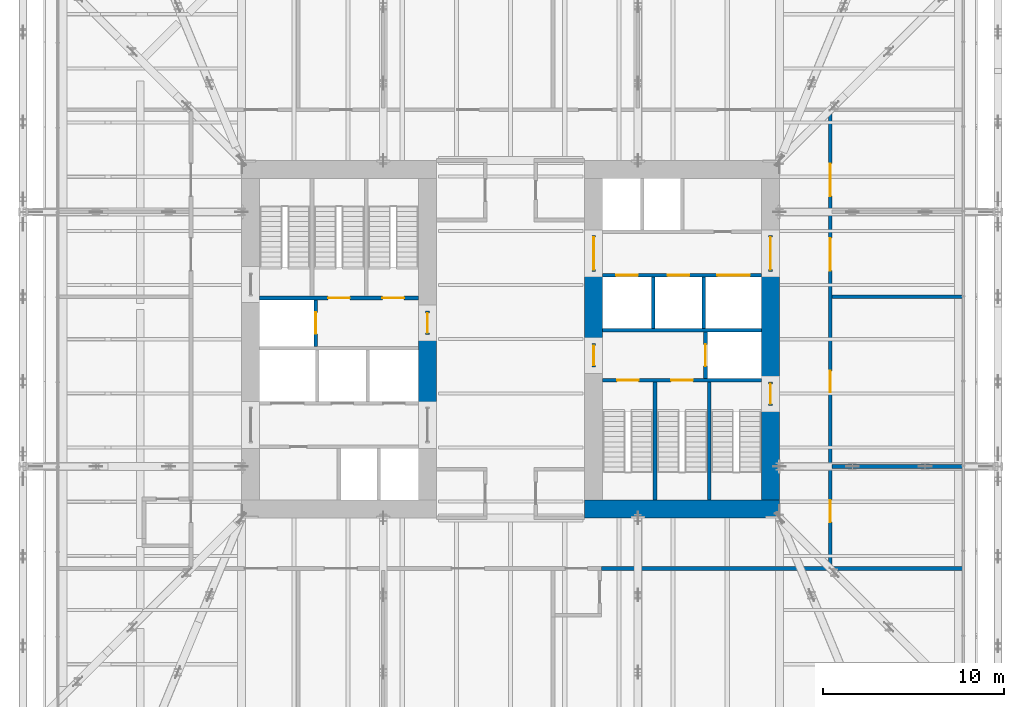
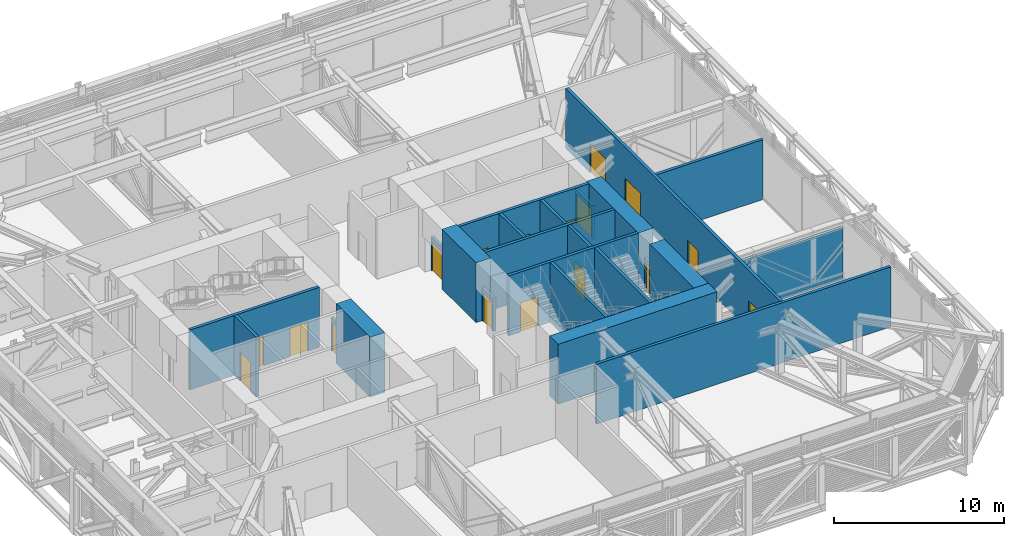
# One storey, part 23 of 33: 24 walls, 18 doors, 18 openings.
"""IFC4 building model written with IfcOpenShell, lengths in metres."""

from ifc_helpers import new_model, si_unit, direction, frame, frame_2d, origin, place, context, subcontext, project, spatial, rectangle, extrude, material, layer, layer_set, type_object, element, fill, save


model = new_model("IFC4")

# Units and contexts
model_context = context("Model", 3, precision=1e-05, world=origin(), true_north=direction((0.0, 1.0)))
body_context = subcontext(model_context, "Body", "Model", "MODEL_VIEW")
ifc_project = project(units=[si_unit("LENGTHUNIT", "METRE"), si_unit("AREAUNIT", "SQUARE_METRE"), si_unit("VOLUMEUNIT", "CUBIC_METRE"), si_unit("PLANEANGLEUNIT", "RADIAN"), si_unit("MASSUNIT", "GRAM", prefix="KILO")], contexts=[model_context])

# Site, building, storey
site_placement = place(None, origin())
site = spatial("IfcSite", under=ifc_project, at=site_placement, CompositionType="ELEMENT")
building_placement = place(site_placement, origin())
building = spatial("IfcBuilding", under=site, at=building_placement, Name="Millrace Tower", CompositionType="ELEMENT")
storey_placement = place(building_placement, frame((0.0, 0.0, 64.10009765625)))
storey = spatial("IfcBuildingStorey", under=building, at=storey_placement, Name="L14", CompositionType="ELEMENT", Elevation=64.10009765625)

# Walls
ifc_material_1 = material(Name="Concrete C80", Category="concrete")
ifc_layer_1 = layer(ifc_material_1, 1.0)
ifc_layer_set_1 = layer_set([ifc_layer_1], Name="Concrete C80")
wall_type_1 = type_object("IfcWallType", Name="Core wall 1000 Concrete C80", PredefinedType="SHEAR", material=ifc_layer_set_1)
wall_1_placement = place(storey_placement, frame((-4.60009765625, -3.75, 0.0), z_axis=(0.0, 0.0, 1.0), x_axis=(0.0, 1.0, 0.0)))
element("IfcWall", 1, at=wall_1_placement, inside=storey, type_object=wall_type_1, Name="Core wall W L14", PredefinedType="SHEAR", context=body_context, shape_type="SweptSolid", body=[
    extrude(rectangle(XDim=4.0, YDim=1.0, at=frame_2d((2.0, 0.0))), origin(), (0.0, 0.0, 1.0), 4.2998046875),
])
wall_2_placement = place(storey_placement, frame((14.89990234375, -9.39990234375, 0.0), z_axis=(0.0, 0.0, 1.0), x_axis=(-1.0, 0.0, 0.0)))
element("IfcWall", 2, at=wall_2_placement, inside=storey, type_object=wall_type_1, Name="Core wall E L14", PredefinedType="SHEAR", context=body_context, shape_type="SweptSolid", body=[
    extrude(rectangle(XDim=10.7998046875, YDim=1.0, at=frame_2d((5.39990234375, 0.0))), origin(), (0.0, 0.0, 1.0), 4.2998046875),
])
wall_3_placement = place(storey_placement, frame((14.39990234375, 3.75, 0.0), z_axis=(0.0, 0.0, 1.0), x_axis=(0.0, -1.0, 0.0)))
element("IfcWall", 3, at=wall_3_placement, inside=storey, type_object=wall_type_1, Name="Core wall E L14", PredefinedType="SHEAR", context=body_context, shape_type="SweptSolid", body=[
    extrude(rectangle(XDim=6.1298828125, YDim=1.0, at=frame_2d((3.06494140625, 0.0))), origin(), (0.0, 0.0, 1.0), 4.2998046875),
])
wall_4_placement = place(storey_placement, frame((14.39990234375, -3.679931640625, 0.0), z_axis=(0.0, 0.0, 1.0), x_axis=(0.0, -1.0, 0.0)))
element("IfcWall", 4, at=wall_4_placement, inside=storey, type_object=wall_type_1, Name="Core wall E L14", PredefinedType="SHEAR", context=body_context, shape_type="SweptSolid", body=[
    extrude(rectangle(XDim=5.219970703125, YDim=1.0, at=frame_2d((2.60986328125, 0.0))), origin(), (0.0, 0.0, 1.0), 4.2998046875),
])
wall_5_placement = place(storey_placement, frame((4.60009765625, 3.75, 0.0), z_axis=(0.0, 0.0, 1.0), x_axis=(0.0, -1.0, 0.0)))
element("IfcWall", 5, at=wall_5_placement, inside=storey, type_object=wall_type_1, Name="Core wall E L14", PredefinedType="SHEAR", context=body_context, shape_type="SweptSolid", body=[
    extrude(rectangle(XDim=4.0, YDim=1.0, at=frame_2d((2.0, 0.0))), origin(), (0.0, 0.0, 1.0), 4.2998046875),
])
ifc_material_2 = material(Name="Masonry partition, fire-rated", Category="masonry")
ifc_layer_2 = layer(ifc_material_2, 0.199951171875)
ifc_layer_set_2 = layer_set([ifc_layer_2], Name="Masonry partition, fire-rated")
wall_type_2 = type_object("IfcWallType", Name="Corridor wall 200", PredefinedType="PARTITIONING", material=ifc_layer_set_2)
wall_6_placement = place(storey_placement, frame((17.800048828125, -7.050048828125, 0.0), z_axis=(0.0, 0.0, 1.0), x_axis=(1.0, 0.0, 0.0)))
element("IfcWall", 6, at=wall_6_placement, inside=storey, type_object=wall_type_2, Name="Corridor wall L14", PredefinedType="PARTITIONING", context=body_context, shape_type="SweptSolid", body=[
    extrude(rectangle(XDim=7.22998046875, YDim=0.199951171875, at=frame_2d((3.614990234375, 0.0))), origin(), (0.0, 0.0, 1.0), 3.686767578125),
])
wall_7_placement = place(storey_placement, frame((17.800048828125, 2.35009765625, 0.0), z_axis=(0.0, 0.0, 1.0), x_axis=(1.0, 0.0, 0.0)))
element("IfcWall", 7, at=wall_7_placement, inside=storey, type_object=wall_type_2, Name="Corridor wall L14", PredefinedType="PARTITIONING", context=body_context, shape_type="SweptSolid", body=[
    extrude(rectangle(XDim=7.22998046875, YDim=0.199951171875, at=frame_2d((3.614990234375, 0.0))), origin(), (0.0, 0.0, 1.0), 4.2998046875),
])

# Wall, openings, doors
wall_8_placement = place(storey_placement, frame((17.699951171875, -12.60009765625, 0.0), z_axis=(0.0, 0.0, 1.0), x_axis=(0.0, 1.0, 0.0)))
wall_8 = element("IfcWall", 8, at=wall_8_placement, inside=storey, type_object=wall_type_2, Name="Corridor wall L14", PredefinedType="PARTITIONING", context=body_context, shape_type="SweptSolid", body=[
    extrude(rectangle(XDim=25.2001953125, YDim=0.199951171875, at=frame_2d((12.60009765625, 0.0))), origin(), (0.0, 0.0, 1.0), 4.2998046875),
])
opening_1_placement = place(wall_8_placement, frame((2.47509765625, 0.0, 0.0)))
opening_1 = element("IfcOpeningElement", 9, at=opening_1_placement, cuts=wall_8, Name="Opening 14-P015", PredefinedType="OPENING", context=body_context, shape_type="SweptSolid", body=[
    extrude(rectangle(XDim=1.199951171875, YDim=2.10009765625, at=frame_2d((0.60009765625, 1.050048828125))), frame((0.0, 0.10986328125, 0.0), z_axis=(0.0, -1.0, 0.0), x_axis=(1.0, 0.0, 0.0)), (0.0, 0.0, 1.0), 0.219970703125),
])
opening_2_placement = place(wall_8_placement, frame((9.64990234375, 0.0, 0.0)))
opening_2 = element("IfcOpeningElement", 10, at=opening_2_placement, cuts=wall_8, Name="Opening 14-P016", PredefinedType="OPENING", context=body_context, shape_type="SweptSolid", body=[
    extrude(rectangle(XDim=1.199951171875, YDim=2.10009765625, at=frame_2d((0.60009765625, 1.050048828125))), frame((0.0, 0.10986328125, 0.0), z_axis=(0.0, -1.0, 0.0), x_axis=(1.0, 0.0, 0.0)), (0.0, 0.0, 1.0), 0.219970703125),
])
opening_3_placement = place(wall_8_placement, frame((16.39990234375, 0.0, 0.0)))
opening_3 = element("IfcOpeningElement", 11, at=opening_3_placement, cuts=wall_8, Name="Opening 14-P017", PredefinedType="OPENING", context=body_context, shape_type="SweptSolid", body=[
    extrude(rectangle(XDim=1.800048828125, YDim=2.10009765625, at=frame_2d((0.89990234375, 1.050048828125))), frame((0.0, 0.10986328125, 0.0), z_axis=(0.0, -1.0, 0.0), x_axis=(1.0, 0.0, 0.0)), (0.0, 0.0, 1.0), 0.219970703125),
])
opening_4_placement = place(wall_8_placement, frame((20.52490234375, 0.0, 0.0)))
opening_4 = element("IfcOpeningElement", 12, at=opening_4_placement, cuts=wall_8, Name="Opening 14-P018", PredefinedType="OPENING", context=body_context, shape_type="SweptSolid", body=[
    extrude(rectangle(XDim=1.800048828125, YDim=2.10009765625, at=frame_2d((0.89990234375, 1.050048828125))), frame((0.0, 0.10986328125, 0.0), z_axis=(0.0, -1.0, 0.0), x_axis=(1.0, 0.0, 0.0)), (0.0, 0.0, 1.0), 0.219970703125),
])
ifc_material_3 = material(Name="Steel door set, fire-rated", Category="steel")
door_type_1 = type_object("IfcDoorType", Name="Plant room door 1200 x 2100", OperationType="SINGLE_SWING_LEFT", PredefinedType="DOOR", material=ifc_material_3)
door_1_placement = place(opening_1_placement, frame((1.199951171875, 0.0, 0.0), z_axis=(0.0, 0.0, 1.0), x_axis=(-1.0, 0.0, 0.0)))
door_1 = element("IfcDoor", 13, at=door_1_placement, inside=storey, type_object=door_type_1, Name="Door 14-P015", OperationType="SINGLE_SWING_RIGHT", OverallHeight=2.10009765625, OverallWidth=1.199951171875, PredefinedType="DOOR", context=body_context, shape_type="SweptSolid", body=[
    extrude(rectangle(XDim=1.199951171875, YDim=2.10009765625, at=frame_2d((0.60009765625, 1.050048828125))), frame((0.0, 0.02490234375, 0.0), z_axis=(0.0, -1.0, 0.0), x_axis=(1.0, 0.0, 0.0)), (0.0, 0.0, 1.0), 0.050048828125),
])
fill(opening_1, door_1)
door_2_placement = place(opening_2_placement, frame((1.199951171875, 0.0, 0.0), z_axis=(0.0, 0.0, 1.0), x_axis=(-1.0, 0.0, 0.0)))
door_2 = element("IfcDoor", 14, at=door_2_placement, inside=storey, type_object=door_type_1, Name="Door 14-P016", OperationType="SINGLE_SWING_RIGHT", OverallHeight=2.10009765625, OverallWidth=1.199951171875, PredefinedType="DOOR", context=body_context, shape_type="SweptSolid", body=[
    extrude(rectangle(XDim=1.199951171875, YDim=2.10009765625, at=frame_2d((0.60009765625, 1.050048828125))), frame((0.0, 0.02490234375, 0.0), z_axis=(0.0, -1.0, 0.0), x_axis=(1.0, 0.0, 0.0)), (0.0, 0.0, 1.0), 0.050048828125),
])
fill(opening_2, door_2)
ifc_material_4 = material(Name="Steel door set, fire-rated", Category="steel")
door_type_2 = type_object("IfcDoorType", Name="Plant room door 1800 x 2100", OperationType="DOUBLE_DOOR_SINGLE_SWING", PredefinedType="DOOR", material=ifc_material_4)
door_3_placement = place(opening_3_placement, frame((1.800048828125, 0.0, 0.0), z_axis=(0.0, 0.0, 1.0), x_axis=(-1.0, 0.0, 0.0)))
door_3 = element("IfcDoor", 15, at=door_3_placement, inside=storey, type_object=door_type_2, Name="Door 14-P017", OperationType="DOUBLE_DOOR_SINGLE_SWING", OverallHeight=2.10009765625, OverallWidth=1.800048828125, PredefinedType="DOOR", context=body_context, shape_type="SweptSolid", body=[
    extrude(rectangle(XDim=1.800048828125, YDim=2.10009765625, at=frame_2d((0.89990234375, 1.050048828125))), frame((0.0, 0.02490234375, 0.0), z_axis=(0.0, -1.0, 0.0), x_axis=(1.0, 0.0, 0.0)), (0.0, 0.0, 1.0), 0.050048828125),
])
fill(opening_3, door_3)
door_4_placement = place(opening_4_placement, frame((1.800048828125, 0.0, 0.0), z_axis=(0.0, 0.0, 1.0), x_axis=(-1.0, 0.0, 0.0)))
door_4 = element("IfcDoor", 16, at=door_4_placement, inside=storey, type_object=door_type_2, Name="Door 14-P018", OperationType="DOUBLE_DOOR_SINGLE_SWING", OverallHeight=2.10009765625, OverallWidth=1.800048828125, PredefinedType="DOOR", context=body_context, shape_type="SweptSolid", body=[
    extrude(rectangle(XDim=1.800048828125, YDim=2.10009765625, at=frame_2d((0.89990234375, 1.050048828125))), frame((0.0, 0.02490234375, 0.0), z_axis=(0.0, -1.0, 0.0), x_axis=(1.0, 0.0, 0.0)), (0.0, 0.0, 1.0), 0.050048828125),
])
fill(opening_4, door_4)

# Wall, opening, door
ifc_material_5 = material(Name="Masonry partition, fire-rated", Category="masonry")
ifc_layer_3 = layer(ifc_material_5, 0.199951171875)
ifc_layer_set_3 = layer_set([ifc_layer_3], Name="Masonry partition, fire-rated")
wall_type_3 = type_object("IfcWallType", Name="Lift shaft wall 200", PredefinedType="PARTITIONING", material=ifc_layer_set_3)
wall_9_placement = place(storey_placement, frame((-10.800048828125, -0.39990234375, 0.0), z_axis=(0.0, 0.0, 1.0), x_axis=(0.0, 1.0, 0.0)))
wall_9 = element("IfcWall", 17, at=wall_9_placement, inside=storey, type_object=wall_type_3, Name="Lift shaft wall W L14", PredefinedType="PARTITIONING", context=body_context, shape_type="SweptSolid", body=[
    extrude(rectangle(XDim=2.579833984375, YDim=0.199951171875, at=frame_2d((1.2900390625, 0.0))), origin(), (0.0, 0.0, 1.0), 4.2998046875),
])
opening_5_placement = place(wall_9_placement, frame((0.68994140625, 0.0, 0.0)))
opening_5 = element("IfcOpeningElement", 18, at=opening_5_placement, cuts=wall_9, Name="Opening 14-LD08", PredefinedType="OPENING", context=body_context, shape_type="SweptSolid", body=[
    extrude(rectangle(XDim=1.199951171875, YDim=2.10009765625, at=frame_2d((0.60009765625, 1.050048828125))), frame((0.0, 0.10986328125, 0.0), z_axis=(0.0, -1.0, 0.0), x_axis=(1.0, 0.0, 0.0)), (0.0, 0.0, 1.0), 0.219970703125),
])
ifc_material_6 = material(Name="Stainless steel, fire-rated", Category="steel")
door_type_3 = type_object("IfcDoorType", Name="Lift landing door 1200 x 2100", OperationType="DOUBLE_DOOR_SLIDING", PredefinedType="DOOR", material=ifc_material_6)
door_5_placement = place(opening_5_placement, origin())
door_5 = element("IfcDoor", 19, at=door_5_placement, inside=storey, type_object=door_type_3, Name="Lift landing door LF8 L14", OperationType="DOUBLE_DOOR_SLIDING", OverallHeight=2.10009765625, OverallWidth=1.199951171875, PredefinedType="DOOR", context=body_context, shape_type="SweptSolid", body=[
    extrude(rectangle(XDim=1.199951171875, YDim=2.10009765625, at=frame_2d((0.60009765625, 1.050048828125))), frame((0.0, 0.02490234375, 0.0), z_axis=(0.0, -1.0, 0.0), x_axis=(1.0, 0.0, 0.0)), (0.0, 0.0, 1.0), 0.050048828125),
])
fill(opening_5, door_5)

# Wall, openings, doors
wall_10_placement = place(storey_placement, frame((13.89990234375, 3.550048828125, 0.0), z_axis=(0.0, 0.0, 1.0), x_axis=(-1.0, 0.0, 0.0)))
wall_10 = element("IfcWall", 20, at=wall_10_placement, inside=storey, type_object=wall_type_3, Name="Lift shaft wall E L14", PredefinedType="PARTITIONING", context=body_context, shape_type="SweptSolid", body=[
    extrude(rectangle(XDim=8.7998046875, YDim=0.199951171875, at=frame_2d((4.39990234375, 0.0))), origin(), (0.0, 0.0, 1.0), 4.2998046875),
])
opening_6_placement = place(wall_10_placement, frame((0.64990234375, 0.0, 0.0)))
opening_6 = element("IfcOpeningElement", 21, at=opening_6_placement, cuts=wall_10, Name="Opening 14-LD13", PredefinedType="OPENING", context=body_context, shape_type="SweptSolid", body=[
    extrude(rectangle(XDim=1.800048828125, YDim=2.10009765625, at=frame_2d((0.89990234375, 1.050048828125))), frame((0.0, 0.10986328125, 0.0), z_axis=(0.0, -1.0, 0.0), x_axis=(1.0, 0.0, 0.0)), (0.0, 0.0, 1.0), 0.219970703125),
])
opening_7_placement = place(wall_10_placement, frame((4.0, 0.0, 0.0)))
opening_7 = element("IfcOpeningElement", 22, at=opening_7_placement, cuts=wall_10, Name="Opening 14-LD14", PredefinedType="OPENING", context=body_context, shape_type="SweptSolid", body=[
    extrude(rectangle(XDim=1.199951171875, YDim=2.10009765625, at=frame_2d((0.60009765625, 1.050048828125))), frame((0.0, 0.10986328125, 0.0), z_axis=(0.0, -1.0, 0.0), x_axis=(1.0, 0.0, 0.0)), (0.0, 0.0, 1.0), 0.219970703125),
])
opening_8_placement = place(wall_10_placement, frame((6.85009765625, 0.0, 0.0)))
opening_8 = element("IfcOpeningElement", 23, at=opening_8_placement, cuts=wall_10, Name="Opening 14-LD15", PredefinedType="OPENING", context=body_context, shape_type="SweptSolid", body=[
    extrude(rectangle(XDim=1.199951171875, YDim=2.10009765625, at=frame_2d((0.60009765625, 1.050048828125))), frame((0.0, 0.10986328125, 0.0), z_axis=(0.0, -1.0, 0.0), x_axis=(1.0, 0.0, 0.0)), (0.0, 0.0, 1.0), 0.219970703125),
])
door_6_placement = place(opening_7_placement, origin())
door_6 = element("IfcDoor", 24, at=door_6_placement, inside=storey, type_object=door_type_3, Name="Lift landing door LF14 L14", OperationType="DOUBLE_DOOR_SLIDING", OverallHeight=2.10009765625, OverallWidth=1.199951171875, PredefinedType="DOOR", context=body_context, shape_type="SweptSolid", body=[
    extrude(rectangle(XDim=1.199951171875, YDim=2.10009765625, at=frame_2d((0.60009765625, 1.050048828125))), frame((0.0, 0.02490234375, 0.0), z_axis=(0.0, -1.0, 0.0), x_axis=(1.0, 0.0, 0.0)), (0.0, 0.0, 1.0), 0.050048828125),
])
fill(opening_7, door_6)
door_7_placement = place(opening_8_placement, origin())
door_7 = element("IfcDoor", 25, at=door_7_placement, inside=storey, type_object=door_type_3, Name="Lift landing door LF15 L14", OperationType="DOUBLE_DOOR_SLIDING", OverallHeight=2.10009765625, OverallWidth=1.199951171875, PredefinedType="DOOR", context=body_context, shape_type="SweptSolid", body=[
    extrude(rectangle(XDim=1.199951171875, YDim=2.10009765625, at=frame_2d((0.60009765625, 1.050048828125))), frame((0.0, 0.02490234375, 0.0), z_axis=(0.0, -1.0, 0.0), x_axis=(1.0, 0.0, 0.0)), (0.0, 0.0, 1.0), 0.050048828125),
])
fill(opening_8, door_7)
ifc_material_7 = material(Name="Stainless steel, fire-rated", Category="steel")
door_type_4 = type_object("IfcDoorType", Name="Lift landing door 1800 x 2100", OperationType="DOUBLE_DOOR_SLIDING", PredefinedType="DOOR", material=ifc_material_7)
door_8_placement = place(opening_6_placement, origin())
door_8 = element("IfcDoor", 26, at=door_8_placement, inside=storey, type_object=door_type_4, Name="Lift landing door LF13 L14", OperationType="DOUBLE_DOOR_SLIDING", OverallHeight=2.10009765625, OverallWidth=1.800048828125, PredefinedType="DOOR", context=body_context, shape_type="SweptSolid", body=[
    extrude(rectangle(XDim=1.800048828125, YDim=2.10009765625, at=frame_2d((0.89990234375, 1.050048828125))), frame((0.0, 0.02490234375, 0.0), z_axis=(0.0, -1.0, 0.0), x_axis=(1.0, 0.0, 0.0)), (0.0, 0.0, 1.0), 0.050048828125),
])
fill(opening_6, door_8)

# Wall
wall_11_placement = place(storey_placement, frame((13.89990234375, 0.5, 0.0), z_axis=(0.0, 0.0, 1.0), x_axis=(-1.0, 0.0, 0.0)))
element("IfcWall", 27, at=wall_11_placement, inside=storey, type_object=wall_type_3, Name="Lift shaft wall E L14", PredefinedType="PARTITIONING", context=body_context, shape_type="SweptSolid", body=[
    extrude(rectangle(XDim=8.7998046875, YDim=0.199951171875, at=frame_2d((4.39990234375, 0.0))), origin(), (0.0, 0.0, 1.0), 4.2998046875),
])

# Wall, opening, door
wall_12_placement = place(storey_placement, frame((10.800048828125, 0.39990234375, 0.0), z_axis=(0.0, 0.0, 1.0), x_axis=(0.0, -1.0, 0.0)))
wall_12 = element("IfcWall", 28, at=wall_12_placement, inside=storey, type_object=wall_type_3, Name="Lift shaft wall E L14", PredefinedType="PARTITIONING", context=body_context, shape_type="SweptSolid", body=[
    extrude(rectangle(XDim=2.579833984375, YDim=0.199951171875, at=frame_2d((1.2900390625, 0.0))), origin(), (0.0, 0.0, 1.0), 4.2998046875),
])
opening_9_placement = place(wall_12_placement, frame((0.68994140625, 0.0, 0.0)))
opening_9 = element("IfcOpeningElement", 29, at=opening_9_placement, cuts=wall_12, Name="Opening 14-LD16", PredefinedType="OPENING", context=body_context, shape_type="SweptSolid", body=[
    extrude(rectangle(XDim=1.199951171875, YDim=2.10009765625, at=frame_2d((0.60009765625, 1.050048828125))), frame((0.0, 0.10986328125, 0.0), z_axis=(0.0, -1.0, 0.0), x_axis=(1.0, 0.0, 0.0)), (0.0, 0.0, 1.0), 0.219970703125),
])
door_9_placement = place(opening_9_placement, origin())
door_9 = element("IfcDoor", 30, at=door_9_placement, inside=storey, type_object=door_type_3, Name="Lift landing door LF16 L14", OperationType="DOUBLE_DOOR_SLIDING", OverallHeight=2.10009765625, OverallWidth=1.199951171875, PredefinedType="DOOR", context=body_context, shape_type="SweptSolid", body=[
    extrude(rectangle(XDim=1.199951171875, YDim=2.10009765625, at=frame_2d((0.60009765625, 1.050048828125))), frame((0.0, 0.02490234375, 0.0), z_axis=(0.0, -1.0, 0.0), x_axis=(1.0, 0.0, 0.0)), (0.0, 0.0, 1.0), 0.050048828125),
])
fill(opening_9, door_9)

# Walls
for number, where, z_axis, x_axis, name in (
    (31, (10.699951171875, 3.449951171875, 0.0), (0.0, 0.0, 1.0), (0.0, -1.0, 0.0), "Lift shaft wall E L14"),
    (32, (7.89990234375, 3.449951171875, 0.0), (0.0, 0.0, 1.0), (0.0, -1.0, 0.0), "Lift shaft wall E L14"),
):
    element("IfcWall", number, at=place(storey_placement, frame(where, z_axis=z_axis, x_axis=x_axis)), inside=storey, type_object=wall_type_3, Name=name, PredefinedType="PARTITIONING", context=body_context, shape_type="SweptSolid", body=[
        extrude(rectangle(XDim=2.849853515625, YDim=0.199951171875, at=frame_2d((1.4248046875, 0.0))), origin(), (0.0, 0.0, 1.0), 4.2998046875),
    ])

# Wall, opening, door
ifc_material_8 = material(Name="Masonry partition, fire-rated", Category="masonry")
ifc_layer_4 = layer(ifc_material_8, 0.199951171875)
ifc_layer_set_4 = layer_set([ifc_layer_4], Name="Masonry partition, fire-rated")
wall_type_4 = type_object("IfcWallType", Name="Lobby wall 200", PredefinedType="PARTITIONING", material=ifc_layer_set_4)
wall_13_placement = place(storey_placement, frame((-4.60009765625, 0.25, 0.0), z_axis=(0.0, 0.0, 1.0), x_axis=(0.0, 1.0, 0.0)))
wall_13 = element("IfcWall", 33, at=wall_13_placement, inside=storey, type_object=wall_type_4, Name="Lobby wall W L14", PredefinedType="PARTITIONING", context=body_context, shape_type="SweptSolid", body=[
    extrude(rectangle(XDim=1.300048828125, YDim=0.199951171875, at=frame_2d((0.64990234375, 0.0))), origin(), (0.0, 0.0, 1.0), 2.39990234375),
])
opening_10_placement = place(wall_13_placement, frame((0.10009765625, 0.0, 0.0)))
opening_10 = element("IfcOpeningElement", 34, at=opening_10_placement, cuts=wall_13, Name="Opening 14-C004", PredefinedType="OPENING", context=body_context, shape_type="SweptSolid", body=[
    extrude(rectangle(XDim=1.10009765625, YDim=2.10009765625, at=frame_2d((0.550048828125, 1.050048828125))), frame((0.0, 0.10986328125, 0.0), z_axis=(0.0, -1.0, 0.0), x_axis=(1.0, 0.0, 0.0)), (0.0, 0.0, 1.0), 0.219970703125),
])
ifc_material_9 = material(Name="Steel door, fire-rated", Category="steel")
door_type_5 = type_object("IfcDoorType", Name="Lobby door 1100 x 2100", OperationType="SINGLE_SWING_LEFT", PredefinedType="DOOR", material=ifc_material_9)
door_10_placement = place(opening_10_placement, origin())
door_10 = element("IfcDoor", 35, at=door_10_placement, inside=storey, type_object=door_type_5, Name="Lobby door 14-C004", OperationType="SINGLE_SWING_RIGHT", OverallHeight=2.10009765625, OverallWidth=1.10009765625, PredefinedType="DOOR", context=body_context, shape_type="SweptSolid", body=[
    extrude(rectangle(XDim=1.10009765625, YDim=2.10009765625, at=frame_2d((0.550048828125, 1.050048828125))), frame((0.0, 0.02490234375, 0.0), z_axis=(0.0, -1.0, 0.0), x_axis=(1.0, 0.0, 0.0)), (0.0, 0.0, 1.0), 0.050048828125),
])
fill(opening_10, door_10)

wall_14_placement = place(storey_placement, frame((14.39990234375, 5.75, 0.0), z_axis=(0.0, 0.0, 1.0), x_axis=(0.0, -1.0, 0.0)))
wall_14 = element("IfcWall", 36, at=wall_14_placement, inside=storey, type_object=wall_type_4, Name="Lobby wall E L14", PredefinedType="PARTITIONING", context=body_context, shape_type="SweptSolid", body=[
    extrude(rectangle(XDim=2.0, YDim=0.199951171875, at=frame_2d((1.0, 0.0))), origin(), (0.0, 0.0, 1.0), 2.39990234375),
])
opening_11_placement = place(wall_14_placement, frame((0.10009765625, 0.0, 0.0)))
opening_11 = element("IfcOpeningElement", 37, at=opening_11_placement, cuts=wall_14, Name="Opening 14-C008", PredefinedType="OPENING", context=body_context, shape_type="SweptSolid", body=[
    extrude(rectangle(XDim=1.800048828125, YDim=2.10009765625, at=frame_2d((0.89990234375, 1.050048828125))), frame((0.0, 0.10986328125, 0.0), z_axis=(0.0, -1.0, 0.0), x_axis=(1.0, 0.0, 0.0)), (0.0, 0.0, 1.0), 0.219970703125),
])
ifc_material_10 = material(Name="Steel door, fire-rated", Category="steel")
door_type_6 = type_object("IfcDoorType", Name="Lobby door 1800 x 2100", OperationType="DOUBLE_DOOR_SINGLE_SWING", PredefinedType="DOOR", material=ifc_material_10)
door_11_placement = place(opening_11_placement, origin())
door_11 = element("IfcDoor", 38, at=door_11_placement, inside=storey, type_object=door_type_6, Name="Lobby door 14-C008", OperationType="DOUBLE_DOOR_SINGLE_SWING", OverallHeight=2.10009765625, OverallWidth=1.800048828125, PredefinedType="DOOR", context=body_context, shape_type="SweptSolid", body=[
    extrude(rectangle(XDim=1.800048828125, YDim=2.10009765625, at=frame_2d((0.89990234375, 1.050048828125))), frame((0.0, 0.02490234375, 0.0), z_axis=(0.0, -1.0, 0.0), x_axis=(1.0, 0.0, 0.0)), (0.0, 0.0, 1.0), 0.050048828125),
])
fill(opening_11, door_11)

wall_15_placement = place(storey_placement, frame((4.60009765625, 5.75, 0.0), z_axis=(0.0, 0.0, 1.0), x_axis=(0.0, -1.0, 0.0)))
wall_15 = element("IfcWall", 39, at=wall_15_placement, inside=storey, type_object=wall_type_4, Name="Lobby wall E L14", PredefinedType="PARTITIONING", context=body_context, shape_type="SweptSolid", body=[
    extrude(rectangle(XDim=2.0, YDim=0.199951171875, at=frame_2d((1.0, 0.0))), origin(), (0.0, 0.0, 1.0), 2.39990234375),
])
opening_12_placement = place(wall_15_placement, frame((0.10009765625, 0.0, 0.0)))
opening_12 = element("IfcOpeningElement", 40, at=opening_12_placement, cuts=wall_15, Name="Opening 14-C010", PredefinedType="OPENING", context=body_context, shape_type="SweptSolid", body=[
    extrude(rectangle(XDim=1.800048828125, YDim=2.10009765625, at=frame_2d((0.89990234375, 1.050048828125))), frame((0.0, 0.10986328125, 0.0), z_axis=(0.0, -1.0, 0.0), x_axis=(1.0, 0.0, 0.0)), (0.0, 0.0, 1.0), 0.219970703125),
])
door_12_placement = place(opening_12_placement, origin())
door_12 = element("IfcDoor", 41, at=door_12_placement, inside=storey, type_object=door_type_6, Name="Lobby door 14-C010", OperationType="DOUBLE_DOOR_SINGLE_SWING", OverallHeight=2.10009765625, OverallWidth=1.800048828125, PredefinedType="DOOR", context=body_context, shape_type="SweptSolid", body=[
    extrude(rectangle(XDim=1.800048828125, YDim=2.10009765625, at=frame_2d((0.89990234375, 1.050048828125))), frame((0.0, 0.02490234375, 0.0), z_axis=(0.0, -1.0, 0.0), x_axis=(1.0, 0.0, 0.0)), (0.0, 0.0, 1.0), 0.050048828125),
])
fill(opening_12, door_12)

wall_16_placement = place(storey_placement, frame((4.60009765625, -0.25, 0.0), z_axis=(0.0, 0.0, 1.0), x_axis=(0.0, -1.0, 0.0)))
wall_16 = element("IfcWall", 42, at=wall_16_placement, inside=storey, type_object=wall_type_4, Name="Lobby wall E L14", PredefinedType="PARTITIONING", context=body_context, shape_type="SweptSolid", body=[
    extrude(rectangle(XDim=1.300048828125, YDim=0.199951171875, at=frame_2d((0.64990234375, 0.0))), origin(), (0.0, 0.0, 1.0), 2.39990234375),
])
opening_13_placement = place(wall_16_placement, frame((0.10009765625, 0.0, 0.0)))
opening_13 = element("IfcOpeningElement", 43, at=opening_13_placement, cuts=wall_16, Name="Opening 14-C011", PredefinedType="OPENING", context=body_context, shape_type="SweptSolid", body=[
    extrude(rectangle(XDim=1.10009765625, YDim=2.10009765625, at=frame_2d((0.550048828125, 1.050048828125))), frame((0.0, 0.10986328125, 0.0), z_axis=(0.0, -1.0, 0.0), x_axis=(1.0, 0.0, 0.0)), (0.0, 0.0, 1.0), 0.219970703125),
])
door_13_placement = place(opening_13_placement, origin())
door_13 = element("IfcDoor", 44, at=door_13_placement, inside=storey, type_object=door_type_5, Name="Lobby door 14-C011", OperationType="SINGLE_SWING_LEFT", OverallHeight=2.10009765625, OverallWidth=1.10009765625, PredefinedType="DOOR", context=body_context, shape_type="SweptSolid", body=[
    extrude(rectangle(XDim=1.10009765625, YDim=2.10009765625, at=frame_2d((0.550048828125, 1.050048828125))), frame((0.0, 0.02490234375, 0.0), z_axis=(0.0, -1.0, 0.0), x_axis=(1.0, 0.0, 0.0)), (0.0, 0.0, 1.0), 0.050048828125),
])
fill(opening_13, door_13)

# Wall
ifc_material_11 = material(Name="Masonry partition, fire-rated", Category="masonry")
ifc_layer_5 = layer(ifc_material_11, 0.199951171875)
ifc_layer_set_5 = layer_set([ifc_layer_5], Name="Masonry partition, fire-rated")
wall_type_5 = type_object("IfcWallType", Name="Refuge area wall 200", PredefinedType="PARTITIONING", material=ifc_layer_set_5)
wall_17_placement = place(storey_placement, frame((5.050048828125, -12.699951171875, 0.0), z_axis=(0.0, 0.0, 1.0), x_axis=(1.0, 0.0, 0.0)))
element("IfcWall", 45, at=wall_17_placement, inside=storey, type_object=wall_type_5, Name="Refuge area wall L14", PredefinedType="PARTITIONING", context=body_context, shape_type="SweptSolid", body=[
    extrude(rectangle(XDim=19.97998046875, YDim=0.199951171875, at=frame_2d((9.989990234375, 0.0))), origin(), (0.0, 0.0, 1.0), 4.2998046875),
])

# Wall, openings, doors
ifc_material_12 = material(Name="Concrete C40", Category="concrete")
ifc_layer_6 = layer(ifc_material_12, 0.199951171875)
ifc_layer_set_6 = layer_set([ifc_layer_6], Name="Concrete C40")
wall_type_6 = type_object("IfcWallType", Name="Stair enclosure wall 200 Concrete C40", PredefinedType="SHEAR", material=ifc_layer_set_6)
wall_18_placement = place(storey_placement, frame((-13.89990234375, 2.280029296875, 0.0), z_axis=(0.0, 0.0, 1.0), x_axis=(1.0, 0.0, 0.0)))
wall_18 = element("IfcWall", 46, at=wall_18_placement, inside=storey, type_object=wall_type_6, Name="Stair enclosure wall W L14", PredefinedType="SHEAR", context=body_context, shape_type="SweptSolid", body=[
    extrude(rectangle(XDim=8.7998046875, YDim=0.199951171875, at=frame_2d((4.39990234375, 0.0))), origin(), (0.0, 0.0, 1.0), 4.2998046875),
])
opening_14_placement = place(wall_18_placement, frame((3.800048828125, 0.0, 0.0)))
opening_14 = element("IfcOpeningElement", 47, at=opening_14_placement, cuts=wall_18, Name="Opening 14-C006", PredefinedType="OPENING", context=body_context, shape_type="SweptSolid", body=[
    extrude(rectangle(XDim=1.199951171875, YDim=2.10009765625, at=frame_2d((0.60009765625, 1.050048828125))), frame((0.0, 0.10986328125, 0.0), z_axis=(0.0, -1.0, 0.0), x_axis=(1.0, 0.0, 0.0)), (0.0, 0.0, 1.0), 0.219970703125),
])
opening_15_placement = place(wall_18_placement, frame((6.800048828125, 0.0, 0.0)))
opening_15 = element("IfcOpeningElement", 48, at=opening_15_placement, cuts=wall_18, Name="Opening 14-C007", PredefinedType="OPENING", context=body_context, shape_type="SweptSolid", body=[
    extrude(rectangle(XDim=1.199951171875, YDim=2.10009765625, at=frame_2d((0.60009765625, 1.050048828125))), frame((0.0, 0.10986328125, 0.0), z_axis=(0.0, -1.0, 0.0), x_axis=(1.0, 0.0, 0.0)), (0.0, 0.0, 1.0), 0.219970703125),
])
ifc_material_13 = material(Name="Steel door, fire-rated", Category="steel")
door_type_7 = type_object("IfcDoorType", Name="Stair door 1200 x 2100", OperationType="SINGLE_SWING_LEFT", PredefinedType="DOOR", material=ifc_material_13)
door_14_placement = place(opening_14_placement, frame((1.199951171875, 0.0, 0.0), z_axis=(0.0, 0.0, 1.0), x_axis=(-1.0, 0.0, 0.0)))
door_14 = element("IfcDoor", 49, at=door_14_placement, inside=storey, type_object=door_type_7, Name="Stair door 14-C006", OperationType="SINGLE_SWING_LEFT", OverallHeight=2.10009765625, OverallWidth=1.199951171875, PredefinedType="DOOR", context=body_context, shape_type="SweptSolid", body=[
    extrude(rectangle(XDim=1.199951171875, YDim=2.10009765625, at=frame_2d((0.60009765625, 1.050048828125))), frame((0.0, 0.02490234375, 0.0), z_axis=(0.0, -1.0, 0.0), x_axis=(1.0, 0.0, 0.0)), (0.0, 0.0, 1.0), 0.050048828125),
])
fill(opening_14, door_14)
door_15_placement = place(opening_15_placement, frame((1.199951171875, 0.0, 0.0), z_axis=(0.0, 0.0, 1.0), x_axis=(-1.0, 0.0, 0.0)))
door_15 = element("IfcDoor", 50, at=door_15_placement, inside=storey, type_object=door_type_7, Name="Stair door 14-C007", OperationType="SINGLE_SWING_LEFT", OverallHeight=2.10009765625, OverallWidth=1.199951171875, PredefinedType="DOOR", context=body_context, shape_type="SweptSolid", body=[
    extrude(rectangle(XDim=1.199951171875, YDim=2.10009765625, at=frame_2d((0.60009765625, 1.050048828125))), frame((0.0, 0.02490234375, 0.0), z_axis=(0.0, -1.0, 0.0), x_axis=(1.0, 0.0, 0.0)), (0.0, 0.0, 1.0), 0.050048828125),
])
fill(opening_15, door_15)

# Wall, opening, door
wall_19_placement = place(storey_placement, frame((14.39990234375, -2.3798828125, 0.0), z_axis=(0.0, 0.0, 1.0), x_axis=(0.0, -1.0, 0.0)))
wall_19 = element("IfcWall", 51, at=wall_19_placement, inside=storey, type_object=wall_type_6, Name="Stair enclosure wall E L14", PredefinedType="SHEAR", context=body_context, shape_type="SweptSolid", body=[
    extrude(rectangle(XDim=1.300048828125, YDim=0.199951171875, at=frame_2d((0.64990234375, 0.0))), origin(), (0.0, 0.0, 1.0), 2.39990234375),
])
opening_16_placement = place(wall_19_placement, frame((0.10009765625, 0.0, 0.0)))
opening_16 = element("IfcOpeningElement", 52, at=opening_16_placement, cuts=wall_19, Name="Opening 14-C009", PredefinedType="OPENING", context=body_context, shape_type="SweptSolid", body=[
    extrude(rectangle(XDim=1.10009765625, YDim=2.10009765625, at=frame_2d((0.550048828125, 1.050048828125))), frame((0.0, 0.10986328125, 0.0), z_axis=(0.0, -1.0, 0.0), x_axis=(1.0, 0.0, 0.0)), (0.0, 0.0, 1.0), 0.219970703125),
])
ifc_material_14 = material(Name="Steel door, fire-rated", Category="steel")
door_type_8 = type_object("IfcDoorType", Name="Stair door 1100 x 2100", OperationType="SINGLE_SWING_LEFT", PredefinedType="DOOR", material=ifc_material_14)
door_16_placement = place(opening_16_placement, origin())
door_16 = element("IfcDoor", 53, at=door_16_placement, inside=storey, type_object=door_type_8, Name="Stair door 14-C009", OperationType="SINGLE_SWING_RIGHT", OverallHeight=2.10009765625, OverallWidth=1.10009765625, PredefinedType="DOOR", context=body_context, shape_type="SweptSolid", body=[
    extrude(rectangle(XDim=1.10009765625, YDim=2.10009765625, at=frame_2d((0.550048828125, 1.050048828125))), frame((0.0, 0.02490234375, 0.0), z_axis=(0.0, -1.0, 0.0), x_axis=(1.0, 0.0, 0.0)), (0.0, 0.0, 1.0), 0.050048828125),
])
fill(opening_16, door_16)

# Wall, openings, doors
wall_20_placement = place(storey_placement, frame((13.89990234375, -2.280029296875, 0.0), z_axis=(0.0, 0.0, 1.0), x_axis=(-1.0, 0.0, 0.0)))
wall_20 = element("IfcWall", 54, at=wall_20_placement, inside=storey, type_object=wall_type_6, Name="Stair enclosure wall E L14", PredefinedType="SHEAR", context=body_context, shape_type="SweptSolid", body=[
    extrude(rectangle(XDim=8.7998046875, YDim=0.199951171875, at=frame_2d((4.39990234375, 0.0))), origin(), (0.0, 0.0, 1.0), 4.2998046875),
])
opening_17_placement = place(wall_20_placement, frame((3.800048828125, 0.0, 0.0)))
opening_17 = element("IfcOpeningElement", 55, at=opening_17_placement, cuts=wall_20, Name="Opening 14-C013", PredefinedType="OPENING", context=body_context, shape_type="SweptSolid", body=[
    extrude(rectangle(XDim=1.199951171875, YDim=2.10009765625, at=frame_2d((0.60009765625, 1.050048828125))), frame((0.0, 0.10986328125, 0.0), z_axis=(0.0, -1.0, 0.0), x_axis=(1.0, 0.0, 0.0)), (0.0, 0.0, 1.0), 0.219970703125),
])
opening_18_placement = place(wall_20_placement, frame((6.800048828125, 0.0, 0.0)))
opening_18 = element("IfcOpeningElement", 56, at=opening_18_placement, cuts=wall_20, Name="Opening 14-C014", PredefinedType="OPENING", context=body_context, shape_type="SweptSolid", body=[
    extrude(rectangle(XDim=1.199951171875, YDim=2.10009765625, at=frame_2d((0.60009765625, 1.050048828125))), frame((0.0, 0.10986328125, 0.0), z_axis=(0.0, -1.0, 0.0), x_axis=(1.0, 0.0, 0.0)), (0.0, 0.0, 1.0), 0.219970703125),
])
door_17_placement = place(opening_17_placement, frame((1.199951171875, 0.0, 0.0), z_axis=(0.0, 0.0, 1.0), x_axis=(-1.0, 0.0, 0.0)))
door_17 = element("IfcDoor", 57, at=door_17_placement, inside=storey, type_object=door_type_7, Name="Stair door 14-C013", OperationType="SINGLE_SWING_LEFT", OverallHeight=2.10009765625, OverallWidth=1.199951171875, PredefinedType="DOOR", context=body_context, shape_type="SweptSolid", body=[
    extrude(rectangle(XDim=1.199951171875, YDim=2.10009765625, at=frame_2d((0.60009765625, 1.050048828125))), frame((0.0, 0.02490234375, 0.0), z_axis=(0.0, -1.0, 0.0), x_axis=(1.0, 0.0, 0.0)), (0.0, 0.0, 1.0), 0.050048828125),
])
fill(opening_17, door_17)
door_18_placement = place(opening_18_placement, frame((1.199951171875, 0.0, 0.0), z_axis=(0.0, 0.0, 1.0), x_axis=(-1.0, 0.0, 0.0)))
door_18 = element("IfcDoor", 58, at=door_18_placement, inside=storey, type_object=door_type_7, Name="Stair door 14-C014", OperationType="SINGLE_SWING_LEFT", OverallHeight=2.10009765625, OverallWidth=1.199951171875, PredefinedType="DOOR", context=body_context, shape_type="SweptSolid", body=[
    extrude(rectangle(XDim=1.199951171875, YDim=2.10009765625, at=frame_2d((0.60009765625, 1.050048828125))), frame((0.0, 0.02490234375, 0.0), z_axis=(0.0, -1.0, 0.0), x_axis=(1.0, 0.0, 0.0)), (0.0, 0.0, 1.0), 0.050048828125),
])
fill(opening_18, door_18)

# Walls
for number, where, z_axis, x_axis, name in (
    (59, (11.0, -2.3798828125, 0.0), (0.0, 0.0, 1.0), (0.0, -1.0, 0.0), "Stair enclosure wall E L14"),
    (60, (8.0, -2.3798828125, 0.0), (0.0, 0.0, 1.0), (0.0, -1.0, 0.0), "Stair enclosure wall E L14"),
):
    element("IfcWall", number, at=place(storey_placement, frame(where, z_axis=z_axis, x_axis=x_axis)), inside=storey, type_object=wall_type_6, Name=name, PredefinedType="SHEAR", context=body_context, shape_type="SweptSolid", body=[
        extrude(rectangle(XDim=6.52001953125, YDim=0.199951171875, at=frame_2d((3.260009765625, 0.0))), origin(), (0.0, 0.0, 1.0), 4.2998046875),
    ])

save(model, "model.ifc")
